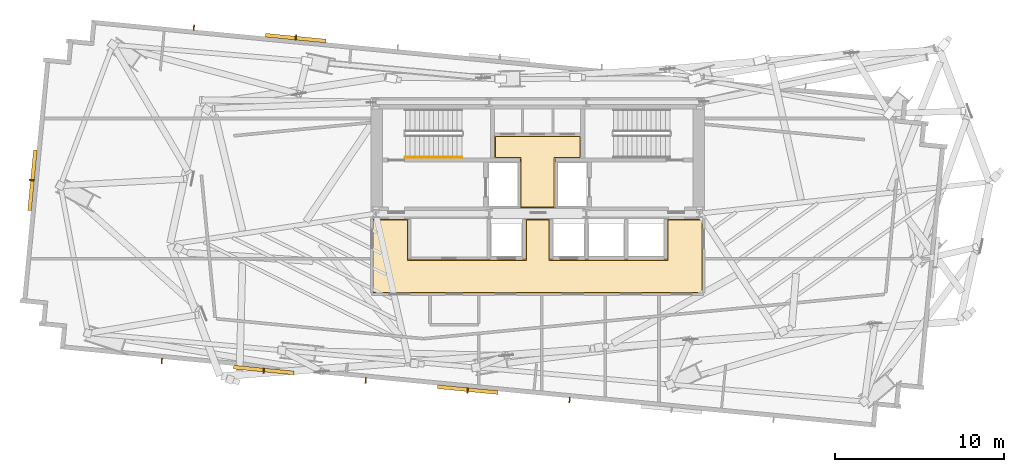
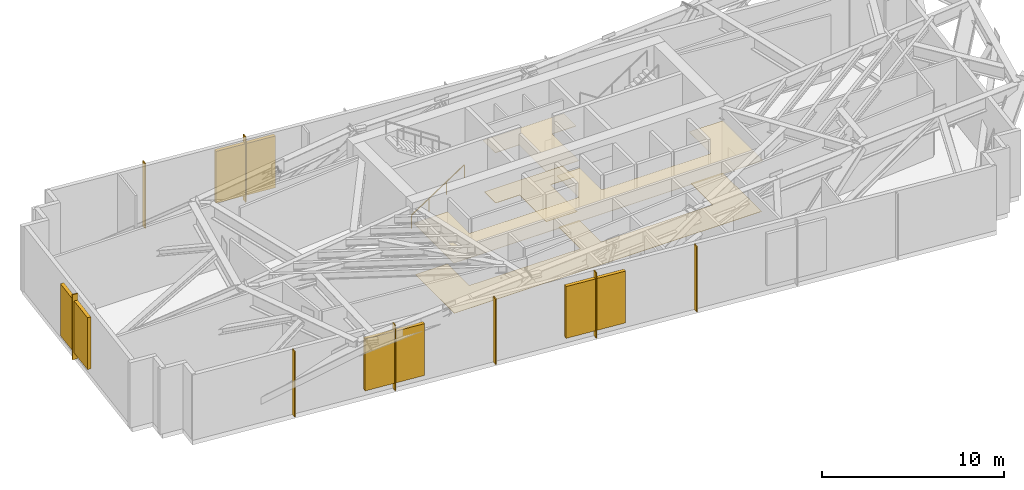
# One storey, part 9 of 10: 12 shading devices, 4 coverings, 1 railing.
"""IFC4 building model written with IfcOpenShell, lengths in metres."""

from ifc_helpers import new_model, si_unit, direction, frame, origin, origin_2d, place, context, subcontext, project, spatial, polyline, rectangle, outline, extrude, source, transform, mapped, material, layer, layer_set, type_object, type_shapes, element, save


model = new_model("IFC4")

# Units and contexts
model_context = context("Model", 3, precision=1e-05, world=origin(), true_north=direction((0.0, 1.0)))
body_context = subcontext(model_context, "Body", "Model", "MODEL_VIEW")
ifc_project = project(units=[si_unit("LENGTHUNIT", "METRE"), si_unit("AREAUNIT", "SQUARE_METRE"), si_unit("VOLUMEUNIT", "CUBIC_METRE"), si_unit("PLANEANGLEUNIT", "RADIAN"), si_unit("MASSUNIT", "GRAM", prefix="KILO")], contexts=[model_context])

# Site, building, storey
site_placement = place(None, origin())
site = spatial("IfcSite", under=ifc_project, at=site_placement, CompositionType="ELEMENT")
building_placement = place(site_placement, origin())
building = spatial("IfcBuilding", under=site, at=building_placement, Name="Astriad Promenade Condominiums", CompositionType="ELEMENT")
storey_placement = place(building_placement, frame((0.0, 0.0, 163.0)))
storey = spatial("IfcBuildingStorey", under=building, at=storey_placement, Name="L47", CompositionType="ELEMENT", Elevation=163.0)

# Coverings
ifc_material_1 = material(Name="Mineral-Fibre Acoustic Ceiling Tile")
ifc_layer_1 = layer(ifc_material_1, 0.02490234375)
ifc_layer_set_1 = layer_set([ifc_layer_1], Name="Mineral-Fibre Acoustic Ceiling Tile")
covering_type_1 = type_object("IfcCoveringType", Name="COV-CEIL-ACOUSTIC-25", PredefinedType="CEILING", material=ifc_layer_set_1)
covering_1_placement = place(storey_placement, frame((0.0, 0.0, 3.43505859375)))
element("IfcCovering", 1, at=covering_1_placement, inside=storey, type_object=covering_type_1, Name="CEIL-L47-CSL", PredefinedType="CEILING", context=body_context, shape_type="SweptSolid", body=[
    extrude(outline(polyline([(37.050048828125, 17.75), (37.0498046875, 17.7470703125), (37.04931640625, 17.744140625), (37.048583984375, 17.7412109375), (37.047607421875, 17.738525390625), (37.04638671875, 17.73583984375), (37.044921875, 17.7333984375), (37.043212890625, 17.73095703125), (37.041259765625, 17.728759765625), (37.0390625, 17.726806640625), (37.03662109375, 17.72509765625), (37.0341796875, 17.723388671875), (37.031494140625, 17.722412109375), (37.02880859375, 17.72119140625), (37.02587890625, 17.720703125), (37.02294921875, 17.72021484375), (37.02001953125, 17.719970703125), (34.97998046875, 17.719970703125), (34.97705078125, 17.72021484375), (34.97412109375, 17.720703125), (34.97119140625, 17.72119140625), (34.968505859375, 17.722412109375), (34.9658203125, 17.723388671875), (34.96337890625, 17.72509765625), (34.9609375, 17.726806640625), (34.958740234375, 17.728759765625), (34.956787109375, 17.73095703125), (34.955078125, 17.7333984375), (34.95361328125, 17.73583984375), (34.952392578125, 17.738525390625), (34.951416015625, 17.7412109375), (34.95068359375, 17.744140625), (34.9501953125, 17.7470703125), (34.949951171875, 17.75), (34.949951171875, 20.669921875), (33.4599609375, 20.669921875), (33.45703125, 20.670166015625), (33.4541015625, 20.670654296875), (33.451416015625, 20.67138671875), (33.448486328125, 20.67236328125), (33.44580078125, 20.673583984375), (33.443359375, 20.675048828125), (33.44091796875, 20.6767578125), (33.438720703125, 20.6787109375), (33.436767578125, 20.680908203125), (33.43505859375, 20.683349609375), (33.43359375, 20.685791015625), (33.432373046875, 20.6884765625), (33.431396484375, 20.69140625), (33.4306640625, 20.694091796875), (33.43017578125, 20.697021484375), (33.429931640625, 20.699951171875), (33.429931640625, 22.02001953125), (33.43017578125, 22.02294921875), (33.4306640625, 22.02587890625), (33.431396484375, 22.02880859375), (33.432373046875, 22.031494140625), (33.43359375, 22.0341796875), (33.43505859375, 22.03662109375), (33.436767578125, 22.0390625), (33.438720703125, 22.041259765625), (33.44091796875, 22.043212890625), (33.443359375, 22.044921875), (33.44580078125, 22.04638671875), (33.448486328125, 22.047607421875), (33.451416015625, 22.048583984375), (33.4541015625, 22.04931640625), (33.45703125, 22.0498046875), (33.4599609375, 22.050048828125), (38.5400390625, 22.050048828125), (38.54296875, 22.0498046875), (38.5458984375, 22.04931640625), (38.548583984375, 22.048583984375), (38.551513671875, 22.047607421875), (38.55419921875, 22.04638671875), (38.556640625, 22.044921875), (38.55908203125, 22.043212890625), (38.561279296875, 22.041259765625), (38.563232421875, 22.0390625), (38.56494140625, 22.03662109375), (38.56640625, 22.0341796875), (38.567626953125, 22.031494140625), (38.568603515625, 22.02880859375), (38.5693359375, 22.02587890625), (38.56982421875, 22.02294921875), (38.570068359375, 22.02001953125), (38.570068359375, 20.699951171875), (38.56982421875, 20.697021484375), (38.5693359375, 20.694091796875), (38.568603515625, 20.69140625), (38.567626953125, 20.6884765625), (38.56640625, 20.685791015625), (38.56494140625, 20.683349609375), (38.563232421875, 20.680908203125), (38.561279296875, 20.6787109375), (38.55908203125, 20.6767578125), (38.556640625, 20.675048828125), (38.55419921875, 20.673583984375), (38.551513671875, 20.67236328125), (38.548583984375, 20.67138671875), (38.5458984375, 20.670654296875), (38.54296875, 20.670166015625), (38.5400390625, 20.669921875), (37.050048828125, 20.669921875), (37.050048828125, 17.75)])), origin(), (0.0, 0.0, 1.0), 0.02490234375),
])
covering_2_placement = place(storey_placement, frame((0.0, 0.0, 3.43505859375)))
element("IfcCovering", 2, at=covering_2_placement, inside=storey, type_object=covering_type_1, Name="CEIL-L47-PCOR-1", PredefinedType="CEILING", context=body_context, shape_type="SweptSolid", body=[
    extrude(outline(polyline([(26.169921875, 17.050048828125), (26.170166015625, 17.052978515625), (26.170654296875, 17.055908203125), (26.17138671875, 17.05859375), (26.17236328125, 17.0615234375), (26.173583984375, 17.064208984375), (26.175048828125, 17.066650390625), (26.1767578125, 17.069091796875), (26.1787109375, 17.0712890625), (26.180908203125, 17.0732421875), (26.183349609375, 17.074951171875), (26.185791015625, 17.076416015625), (26.1884765625, 17.07763671875), (26.19140625, 17.07861328125), (26.194091796875, 17.079345703125), (26.197021484375, 17.079833984375), (26.199951171875, 17.080078125), (28.320068359375, 17.080078125), (28.322998046875, 17.079833984375), (28.325927734375, 17.079345703125), (28.32861328125, 17.07861328125), (28.33154296875, 17.07763671875), (28.333984375, 17.076416015625), (28.336669921875, 17.074951171875), (28.339111328125, 17.0732421875), (28.34130859375, 17.0712890625), (28.34326171875, 17.069091796875), (28.344970703125, 17.066650390625), (28.346435546875, 17.064208984375), (28.34765625, 17.0615234375), (28.3486328125, 17.05859375), (28.349365234375, 17.055908203125), (28.349853515625, 17.052978515625), (28.35009765625, 17.050048828125), (28.35009765625, 14.68994140625), (33.0, 14.68994140625), (33.0029296875, 14.68994140625), (33.005859375, 14.689453125), (33.0087890625, 14.688720703125), (33.011474609375, 14.687744140625), (33.01416015625, 14.6865234375), (33.0166015625, 14.684814453125), (33.01904296875, 14.68310546875), (33.021240234375, 14.68115234375), (33.022216796875, 14.679931640625), (35.27001953125, 14.679931640625), (35.27001953125, 17.050048828125), (35.27001953125, 17.052978515625), (35.2705078125, 17.055908203125), (35.271240234375, 17.05859375), (35.272216796875, 17.0615234375), (35.2734375, 17.064208984375), (35.275146484375, 17.066650390625), (35.27685546875, 17.069091796875), (35.27880859375, 17.0712890625), (35.281005859375, 17.0732421875), (35.283203125, 17.074951171875), (35.285888671875, 17.076416015625), (35.28857421875, 17.07763671875), (35.291259765625, 17.07861328125), (35.294189453125, 17.079345703125), (35.297119140625, 17.079833984375), (35.300048828125, 17.080078125), (36.699951171875, 17.080078125), (36.702880859375, 17.079833984375), (36.705810546875, 17.079345703125), (36.708740234375, 17.07861328125), (36.71142578125, 17.07763671875), (36.714111328125, 17.076416015625), (36.716796875, 17.074951171875), (36.718994140625, 17.0732421875), (36.72119140625, 17.0712890625), (36.72314453125, 17.069091796875), (36.724853515625, 17.066650390625), (36.7265625, 17.064208984375), (36.727783203125, 17.0615234375), (36.728759765625, 17.05859375), (36.7294921875, 17.055908203125), (36.72998046875, 17.052978515625), (36.72998046875, 17.050048828125), (36.72998046875, 14.679931640625), (43.669921875, 14.679931640625), (43.669921875, 17.050048828125), (43.670166015625, 17.052978515625), (43.670654296875, 17.055908203125), (43.67138671875, 17.05859375), (43.67236328125, 17.0615234375), (43.673583984375, 17.064208984375), (43.675048828125, 17.066650390625), (43.6767578125, 17.069091796875), (43.6787109375, 17.0712890625), (43.680908203125, 17.0732421875), (43.683349609375, 17.074951171875), (43.685791015625, 17.076416015625), (43.6884765625, 17.07763671875), (43.69140625, 17.07861328125), (43.694091796875, 17.079345703125), (43.697021484375, 17.079833984375), (43.699951171875, 17.080078125), (45.800048828125, 17.080078125), (45.802978515625, 17.079833984375), (45.805908203125, 17.079345703125), (45.80859375, 17.07861328125), (45.8115234375, 17.07763671875), (45.814208984375, 17.076416015625), (45.816650390625, 17.074951171875), (45.819091796875, 17.0732421875), (45.8212890625, 17.0712890625), (45.8232421875, 17.069091796875), (45.824951171875, 17.066650390625), (45.826416015625, 17.064208984375), (45.82763671875, 17.0615234375), (45.82861328125, 17.05859375), (45.829345703125, 17.055908203125), (45.829833984375, 17.052978515625), (45.830078125, 17.050048828125), (45.830078125, 12.679931640625), (45.829833984375, 12.677001953125), (45.829345703125, 12.674072265625), (45.82861328125, 12.67138671875), (45.82763671875, 12.66845703125), (45.826416015625, 12.666015625), (45.824951171875, 12.663330078125), (45.8232421875, 12.660888671875), (45.8212890625, 12.65869140625), (45.819091796875, 12.65673828125), (45.816650390625, 12.655029296875), (45.814208984375, 12.653564453125), (45.8115234375, 12.65234375), (45.80859375, 12.6513671875), (45.805908203125, 12.650634765625), (45.802978515625, 12.650146484375), (45.800048828125, 12.64990234375), (26.199951171875, 12.64990234375), (26.197021484375, 12.650146484375), (26.194091796875, 12.650634765625), (26.19140625, 12.6513671875), (26.1884765625, 12.65234375), (26.185791015625, 12.653564453125), (26.183349609375, 12.655029296875), (26.180908203125, 12.65673828125), (26.1787109375, 12.65869140625), (26.1767578125, 12.660888671875), (26.175048828125, 12.663330078125), (26.173583984375, 12.666015625), (26.17236328125, 12.66845703125), (26.17138671875, 12.67138671875), (26.170654296875, 12.674072265625), (26.170166015625, 12.677001953125), (26.169921875, 12.679931640625), (26.169921875, 17.050048828125)])), origin(), (0.0, 0.0, 1.0), 0.02490234375),
])
ifc_material_2 = material(Name="Polished Lakefront Terrazzo Flooring")
ifc_layer_2 = layer(ifc_material_2, 0.02001953125)
ifc_layer_set_2 = layer_set([ifc_layer_2], Name="Polished Lakefront Terrazzo Flooring")
covering_type_2 = type_object("IfcCoveringType", Name="COV-FLOR-TERRAZZO-20", PredefinedType="FLOORING", material=ifc_layer_set_2)
covering_3_placement = place(storey_placement, origin())
element("IfcCovering", 3, at=covering_3_placement, inside=storey, type_object=covering_type_2, Name="FLR-L47-CSL", PredefinedType="FLOORING", context=body_context, shape_type="SweptSolid", body=[
    extrude(outline(polyline([(36.97998046875, 20.699951171875), (36.97998046875, 17.7900390625), (35.02001953125, 17.7900390625), (35.02001953125, 20.699951171875), (35.019775390625, 20.703857421875), (35.019287109375, 20.707763671875), (35.018310546875, 20.711669921875), (35.01708984375, 20.71533203125), (35.015380859375, 20.718994140625), (35.01318359375, 20.72216796875), (35.010986328125, 20.725341796875), (35.00830078125, 20.728271484375), (35.00537109375, 20.73095703125), (35.002197265625, 20.7333984375), (34.998779296875, 20.7353515625), (34.995361328125, 20.737060546875), (34.99169921875, 20.73828125), (34.98779296875, 20.7392578125), (34.98388671875, 20.73974609375), (34.97998046875, 20.739990234375), (33.5, 20.739990234375), (33.5, 21.97998046875), (38.5, 21.97998046875), (38.5, 20.739990234375), (37.02001953125, 20.739990234375), (37.01611328125, 20.73974609375), (37.01220703125, 20.7392578125), (37.00830078125, 20.73828125), (37.004638671875, 20.737060546875), (37.001220703125, 20.7353515625), (36.997802734375, 20.7333984375), (36.99462890625, 20.73095703125), (36.99169921875, 20.728271484375), (36.989013671875, 20.725341796875), (36.98681640625, 20.72216796875), (36.984619140625, 20.718994140625), (36.98291015625, 20.71533203125), (36.981689453125, 20.711669921875), (36.980712890625, 20.707763671875), (36.980224609375, 20.703857421875), (36.97998046875, 20.699951171875)])), origin(), (0.0, 0.0, 1.0), 0.02001953125),
])
covering_4_placement = place(storey_placement, origin())
element("IfcCovering", 4, at=covering_4_placement, inside=storey, type_object=covering_type_2, Name="FLR-L47-PCOR-1", PredefinedType="FLOORING", context=body_context, shape_type="SweptSolid", body=[
    extrude(outline(polyline([(26.239990234375, 12.719970703125), (26.239990234375, 17.010009765625), (28.280029296875, 17.010009765625), (28.280029296875, 14.659912109375), (28.2802734375, 14.656005859375), (28.28076171875, 14.652099609375), (28.28173828125, 14.6484375), (28.282958984375, 14.644775390625), (28.28466796875, 14.64111328125), (28.28662109375, 14.6376953125), (28.2890625, 14.634521484375), (28.291748046875, 14.631591796875), (28.294677734375, 14.629150390625), (28.2978515625, 14.626708984375), (28.301025390625, 14.624755859375), (28.3046875, 14.623046875), (28.308349609375, 14.62158203125), (28.312255859375, 14.620849609375), (28.316162109375, 14.6201171875), (28.320068359375, 14.6201171875), (32.9736328125, 14.6201171875), (32.974609375, 14.619140625), (32.977783203125, 14.61669921875), (32.981201171875, 14.61474609375), (32.984619140625, 14.613037109375), (32.98828125, 14.61181640625), (32.9921875, 14.61083984375), (32.99609375, 14.610107421875), (33.0, 14.610107421875), (35.300048828125, 14.610107421875), (35.303955078125, 14.610107421875), (35.307861328125, 14.61083984375), (35.3115234375, 14.61181640625), (35.315185546875, 14.613037109375), (35.31884765625, 14.61474609375), (35.322265625, 14.61669921875), (35.325439453125, 14.619140625), (35.328369140625, 14.62158203125), (35.330810546875, 14.62451171875), (35.333251953125, 14.627685546875), (35.335205078125, 14.631103515625), (35.3369140625, 14.634765625), (35.33837890625, 14.638427734375), (35.339111328125, 14.64208984375), (35.33984375, 14.64599609375), (35.340087890625, 14.64990234375), (35.340087890625, 17.010009765625), (36.659912109375, 17.010009765625), (36.659912109375, 14.64990234375), (36.66015625, 14.64599609375), (36.660888671875, 14.64208984375), (36.66162109375, 14.638427734375), (36.6630859375, 14.634765625), (36.664794921875, 14.631103515625), (36.666748046875, 14.627685546875), (36.669189453125, 14.62451171875), (36.671630859375, 14.62158203125), (36.674560546875, 14.619140625), (36.677734375, 14.61669921875), (36.68115234375, 14.61474609375), (36.684814453125, 14.613037109375), (36.6884765625, 14.61181640625), (36.692138671875, 14.61083984375), (36.696044921875, 14.610107421875), (36.699951171875, 14.610107421875), (43.699951171875, 14.610107421875), (43.703857421875, 14.610107421875), (43.707763671875, 14.61083984375), (43.711669921875, 14.61181640625), (43.71533203125, 14.613037109375), (43.718994140625, 14.61474609375), (43.72216796875, 14.61669921875), (43.725341796875, 14.619140625), (43.728271484375, 14.62158203125), (43.73095703125, 14.62451171875), (43.7333984375, 14.627685546875), (43.7353515625, 14.631103515625), (43.737060546875, 14.634765625), (43.73828125, 14.638427734375), (43.7392578125, 14.64208984375), (43.73974609375, 14.64599609375), (43.739990234375, 14.64990234375), (43.739990234375, 17.010009765625), (45.760009765625, 17.010009765625), (45.760009765625, 12.719970703125), (26.239990234375, 12.719970703125)])), origin(), (0.0, 0.0, 1.0), 0.02001953125),
])

# Shading devices
ifc_material_3 = material(Name="Anodised aluminium 6063-T6 Black Louvre", Category="aluminium")
shading_device_type_1 = type_object("IfcShadingDeviceType", Name="LOUVRE-ACOUSTIC-220", PredefinedType="JALOUSIE", material=ifc_material_3)
shared_shape_1 = source(origin(), body_context, "Body", "SweptSolid", [
    extrude(rectangle(XDim=3.60009765625, YDim=0.219970703125, at=origin_2d()), origin(), (0.0, 0.0, 1.0), 3.47998046875),
])
type_shapes(shading_device_type_1, [shared_shape_1])
for number, where, z_axis, x_axis, name in (
    (5, (6.03369140625, 19.377197265625, 0.449951171875), (0.0, 0.0, 1.0), (0.09584575252, 0.995396198367, 0.0), "LVR-L47-W-1"),
    (6, (21.65380859375, 27.80908203125, 0.449951171875), (0.0, 0.0, 1.0), (0.995396198367, -0.09584575252, 0.0), "LVR-L47-N-1"),
    (7, (31.85205078125, 6.95556640625, 0.449951171875), (0.0, 0.0, 1.0), (-0.995396198367, 0.09584575252, 0.0), "LVR-L47-S-2"),
    (8, (19.758056640625, 8.1201171875, 0.449951171875), (0.0, 0.0, 1.0), (-0.995396198367, 0.09584575252, 0.0), "LVR-L47-S-3"),
):
    element("IfcShadingDevice", number, at=place(storey_placement, frame(where, z_axis=z_axis, x_axis=x_axis)), inside=storey, type_object=shading_device_type_1, Name=name, PredefinedType="JALOUSIE", context=body_context, shape_type="MappedRepresentation", body=[
        mapped(shared_shape_1, transform((0.0, 0.0, 0.0), scale=1.0)),
    ])
ifc_material_4 = material(Name="Anodised aluminium 6063-T6 Black Fin", Category="aluminium")
shading_device_type_2 = type_object("IfcShadingDeviceType", Name="FIN-BLACK-260", PredefinedType="USERDEFINED", material=ifc_material_4)
shared_shape_2 = source(origin(), body_context, "Body", "SweptSolid", [
    extrude(rectangle(XDim=0.06494140625, YDim=0.320068359375, at=origin_2d()), origin(), (0.0, 0.0, 1.0), 4.3798828125),
])
type_shapes(shading_device_type_2, [shared_shape_2])
for number, where, z_axis, x_axis, name in (
    (9, (5.993896484375, 19.381103515625, 0.0), (0.0, 0.0, 1.0), (0.09584575252, 0.995396198367, 0.0), "FIN-PLT-L47-W-01"),
    (10, (15.610595703125, 28.430908203125, 0.0), (0.0, 0.0, 1.0), (0.995396198367, -0.09584575252, 0.0), "FIN-PLT-L47-N-01"),
    (11, (21.65771484375, 27.848876953125, 0.0), (0.0, 0.0, 1.0), (0.995396198367, -0.09584575252, 0.0), "FIN-PLT-L47-N-02"),
    (12, (37.895263671875, 6.33349609375, 0.0), (0.0, 0.0, 1.0), (-0.995396198367, 0.09584575252, 0.0), "FIN-PLT-L47-S-03"),
    (13, (31.848388671875, 6.915771484375, 0.0), (0.0, 0.0, 1.0), (-0.995396198367, 0.09584575252, 0.0), "FIN-PLT-L47-S-04"),
    (14, (25.80126953125, 7.498046875, 0.0), (0.0, 0.0, 1.0), (-0.995396198367, 0.09584575252, 0.0), "FIN-PLT-L47-S-05"),
    (15, (19.754150390625, 8.080322265625, 0.0), (0.0, 0.0, 1.0), (-0.995396198367, 0.09584575252, 0.0), "FIN-PLT-L47-S-06"),
    (16, (13.707275390625, 8.66259765625, 0.0), (0.0, 0.0, 1.0), (-0.995396198367, 0.09584575252, 0.0), "FIN-PLT-L47-S-07"),
):
    element("IfcShadingDevice", number, at=place(storey_placement, frame(where, z_axis=z_axis, x_axis=x_axis)), inside=storey, type_object=shading_device_type_2, Name=name, ObjectType="FIN", PredefinedType="USERDEFINED", context=body_context, shape_type="MappedRepresentation", body=[
        mapped(shared_shape_2, transform((0.0, 0.0, 0.0), scale=1.0)),
    ])

# Railing
ifc_material_5 = material(Name="Brushed Stainless Steel Handrail", Category="steel")
railing_type = type_object("IfcRailingType", Name="HRL-STAIR-920", PredefinedType="HANDRAIL", material=ifc_material_5)
shared_shape_3 = source(origin(), body_context, "Body", "SweptSolid", [
    extrude(rectangle(XDim=0.048095703125, YDim=0.048095703125, at=origin_2d()), frame((0.0, 0.0, 0.8759765625), z_axis=(0.834876476806, 0.0, 0.550437342915), x_axis=(0.0, 1.0, 0.0)), (0.0, 0.0, 1.0), 4.024658203125),
    extrude(rectangle(XDim=0.0419921875, YDim=0.0419921875, at=origin_2d()), origin(), (0.0, 0.0, 1.0), 0.851806640625),
    extrude(rectangle(XDim=0.0419921875, YDim=0.0419921875, at=origin_2d()), frame((1.1201171875, 0.0, 0.738525390625)), (0.0, 0.0, 1.0), 0.851806640625),
    extrude(rectangle(XDim=0.0419921875, YDim=0.0419921875, at=origin_2d()), frame((2.239990234375, 0.0, 1.476806640625)), (0.0, 0.0, 1.0), 0.851806640625),
    extrude(rectangle(XDim=0.0419921875, YDim=0.0419921875, at=origin_2d()), frame((3.360107421875, 0.0, 2.21533203125)), (0.0, 0.0, 1.0), 0.851806640625),
])
type_shapes(railing_type, [shared_shape_3])
railing_placement = place(storey_placement, frame((28.14990234375, 20.75, 0.1845703125)))
element("IfcRailing", 17, at=railing_placement, inside=storey, type_object=railing_type, Name="L47 ST-1 stair handrail 1", PredefinedType="HANDRAIL", context=body_context, shape_type="MappedRepresentation", body=[
    mapped(shared_shape_3, transform((0.0, 0.0, 0.0), scale=1.0)),
])

save(model, "model.ifc")
